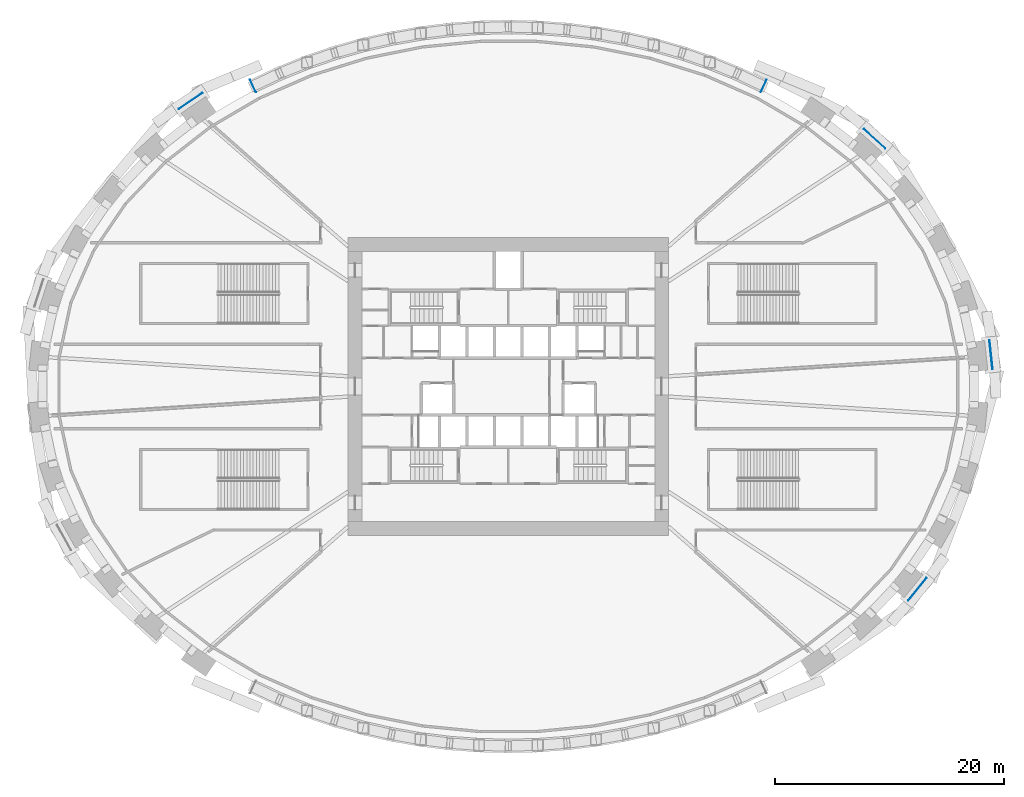
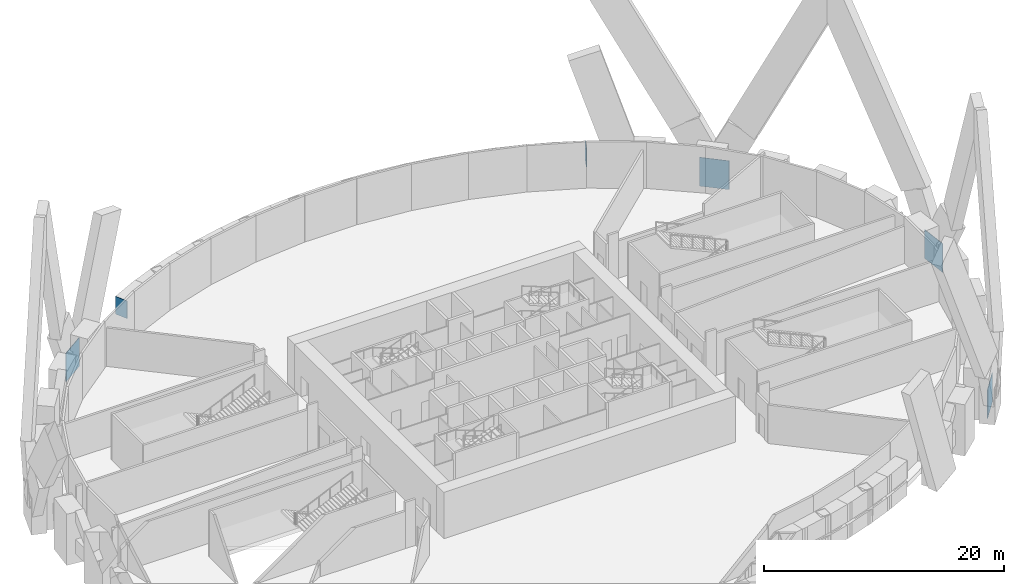
# One storey, part 12 of 16: 6 discrete accessories.
"""IFC4 building model written with IfcOpenShell, lengths in metres."""

from ifc_helpers import new_model, si_unit, direction, frame, origin, origin_2d, place, context, subcontext, project, spatial, rectangle, extrude, source, transform, mapped, material, type_object, element, save


model = new_model("IFC4")

# Units and contexts
model_context = context("Model", 3, precision=1e-05, world=origin(), true_north=direction((0.0, 1.0)))
body_context = subcontext(model_context, "Body", "Model", "MODEL_VIEW")
ifc_project = project(units=[si_unit("LENGTHUNIT", "METRE"), si_unit("AREAUNIT", "SQUARE_METRE"), si_unit("VOLUMEUNIT", "CUBIC_METRE"), si_unit("PLANEANGLEUNIT", "RADIAN"), si_unit("MASSUNIT", "GRAM", prefix="KILO")], contexts=[model_context])

# Site, building, storey
site_placement = place(None, origin())
site = spatial("IfcSite", under=ifc_project, at=site_placement, CompositionType="ELEMENT")
building_placement = place(site_placement, origin())
building = spatial("IfcBuilding", under=site, at=building_placement, Name="Embergate Tower", CompositionType="ELEMENT")
storey_placement = place(building_placement, frame((0.0, 0.0, 24.0)))
storey = spatial("IfcBuildingStorey", under=building, at=storey_placement, Name="L02", CompositionType="ELEMENT", Elevation=24.0)

# Discrete accessories
ifc_material = material(Name="Steel Q355D plate", Category="steel")
discrete_accessory_type_1 = type_object("IfcDiscreteAccessoryType", Name="Member end plate 1200x1800", PredefinedType="USERDEFINED", material=ifc_material)
shared_shape_1 = source(origin(), body_context, "Body", "SweptSolid", [
    extrude(rectangle(XDim=0.030029296875, YDim=1.199951171875, at=origin_2d()), origin(), (0.0, 0.0, 1.0), 1.800048828125),
])
for number, where, z_axis, x_axis, name in (
    (1, (22.31103515625, 26.25, 1.7001953125), (0.0, 0.0, 1.0), (-0.904373233467, 0.426742374961, 0.0), "End plate"),
    (2, (-22.31103515625, 26.25, 1.7001953125), (0.0, 0.0, 1.0), (-0.904373233467, -0.426742374961, 0.0), "End plate"),
):
    element("IfcDiscreteAccessory", number, at=place(storey_placement, frame(where, z_axis=z_axis, x_axis=x_axis)), inside=storey, type_object=discrete_accessory_type_1, Name=name, ObjectType="BRACKET", PredefinedType="USERDEFINED", context=body_context, shape_type="MappedRepresentation", body=[
        mapped(shared_shape_1, transform((0.0, 0.0, 0.0))),
    ])
discrete_accessory_type_2 = type_object("IfcDiscreteAccessoryType", Name="Lattice node plate", PredefinedType="USERDEFINED", material=ifc_material)
shared_shape_2 = source(origin(), body_context, "Body", "SweptSolid", [
    extrude(rectangle(XDim=2.52001953125, YDim=0.050048828125, at=origin_2d()), origin(), (0.0, 0.0, 1.0), 2.919921875),
])
for number, where, z_axis, x_axis, name in (
    (3, (42.177001953125, 2.76806640625, -1.4599609375), (0.0, 0.0, 1.0), (-0.106749983816, 0.99428589498, 0.0), "Node plate"),
    (4, (31.9990234375, 21.637939453125, -1.4599609375), (0.0, 0.0, 1.0), (-0.74307475021, 0.669208424634, 0.0), "Node plate"),
    (5, (-27.7509765625, 24.9541015625, -1.4599609375), (0.0, 0.0, 1.0), (-0.828226643109, -0.560393279442, 0.0), "Node plate"),
    (6, (35.739990234375, -17.715087890625, -1.4599609375), (0.0, 0.0, 1.0), (0.630824786022, 0.775925311702, 0.0), "Node plate"),
):
    element("IfcDiscreteAccessory", number, at=place(storey_placement, frame(where, z_axis=z_axis, x_axis=x_axis)), inside=storey, type_object=discrete_accessory_type_2, Name=name, ObjectType="BRACKET", PredefinedType="USERDEFINED", context=body_context, shape_type="MappedRepresentation", body=[
        mapped(shared_shape_2, transform((0.0, 0.0, 0.0))),
    ])

save(model, "model.ifc")
